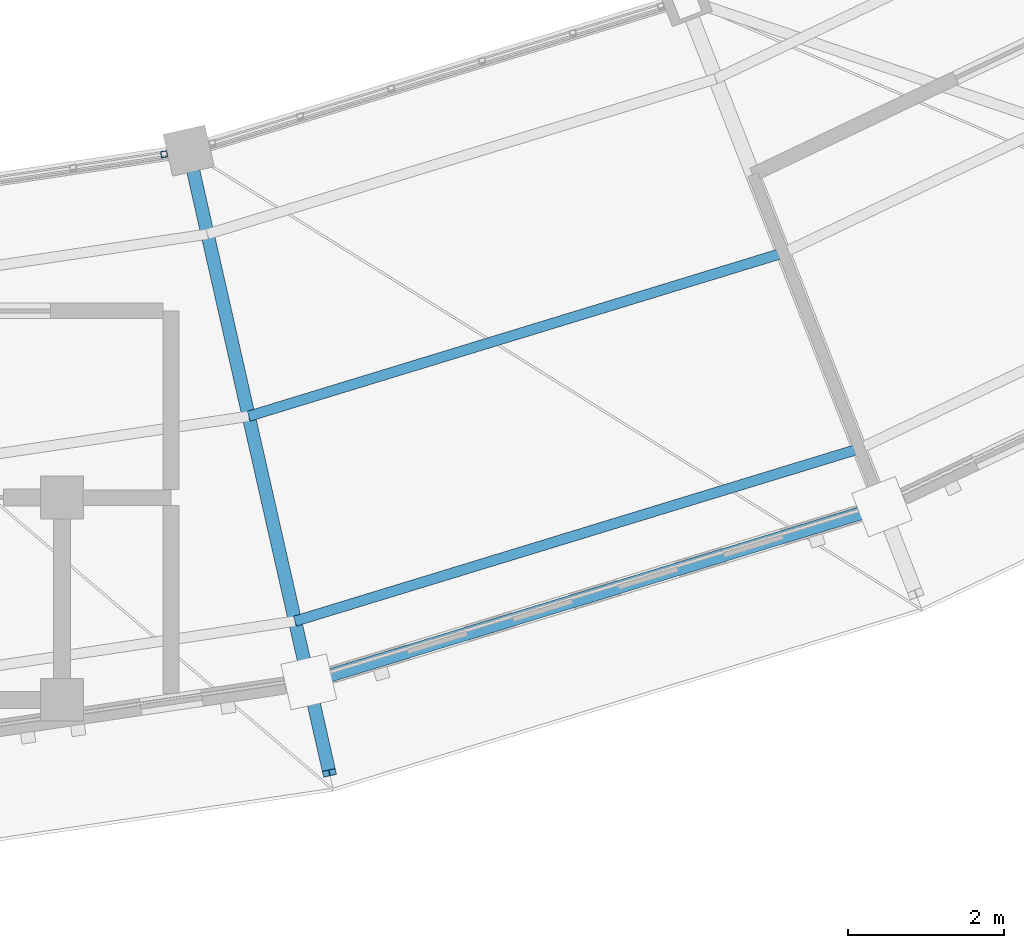
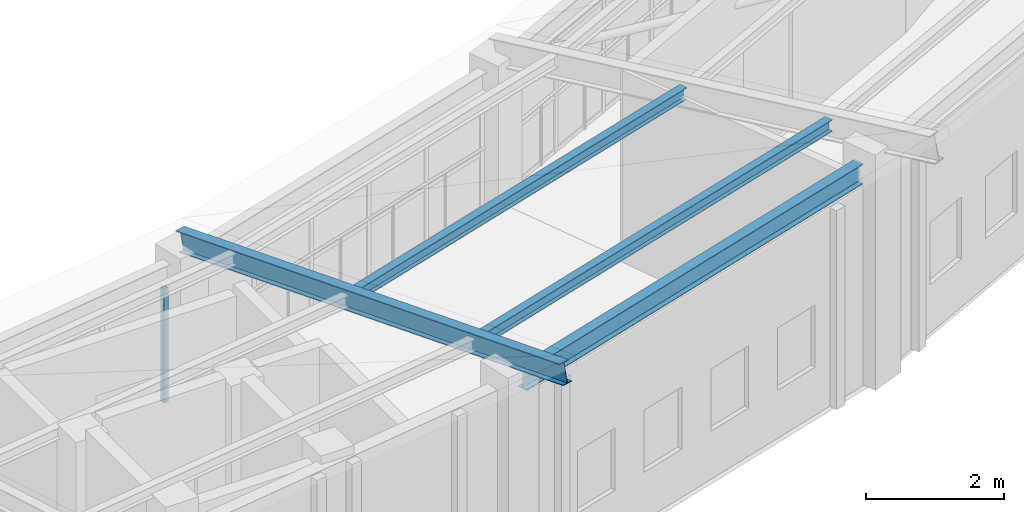
# One storey, part 41 of 149: 4 members, 1 beam, 1 element without a shape of its own.
"""IFC4 building model written with IfcOpenShell, lengths in metres."""

from ifc_helpers import new_model, si_unit, direction, frame, origin, origin_2d, place, context, subcontext, project, spatial, hollow_rectangle, i_section, extrude, material, material_profile, profile_set, type_object, element, aggregate, save


model = new_model("IFC4")

# Units and contexts
model_context = context("Model", 3, precision=1e-05, world=origin(), true_north=direction((0.0, 1.0)))
body_context = subcontext(model_context, "Body", "Model", "MODEL_VIEW")
ifc_project = project(units=[si_unit("LENGTHUNIT", "METRE"), si_unit("AREAUNIT", "SQUARE_METRE"), si_unit("VOLUMEUNIT", "CUBIC_METRE"), si_unit("PLANEANGLEUNIT", "RADIAN"), si_unit("MASSUNIT", "GRAM", prefix="KILO")], contexts=[model_context])

# Site, building, storey
site_placement = place(None, origin())
site = spatial("IfcSite", under=ifc_project, at=site_placement, CompositionType="ELEMENT")
building_placement = place(site_placement, origin())
building = spatial("IfcBuilding", under=site, at=building_placement, Name="Celadon Cloister-Ring School", CompositionType="ELEMENT")
storey_placement = place(building_placement, frame((0.0, 0.0, 12.5)))
storey = spatial("IfcBuildingStorey", under=building, at=storey_placement, Name="L03", CompositionType="ELEMENT", Elevation=12.5)

# Curtain wall, member
ifc_material_1 = material(Name="Aluminium EN AW-6063 T6", Category="aluminium")
curtain_wall_type = type_object("IfcCurtainWallType", Name="CW-02", PredefinedType="USERDEFINED", material=ifc_material_1)
curtain_wall_placement = place(storey_placement, origin())
curtain_wall = element("IfcCurtainWall", 1, at=curtain_wall_placement, inside=storey, type_object=curtain_wall_type, Name="Curtain Wall 0062", ObjectType="CURTAIN WALL", PredefinedType="USERDEFINED")
ifc_material_2 = material(Name="Aluminium EN AW-6063 T6", Category="aluminium")
ifc_material_profile_1 = material_profile(ifc_material_2, hollow_rectangle(XDim=0.080078125, YDim=0.080078125, WallThickness=0.00390625, at=origin_2d()), Name="RHS80X80X4")
ifc_profile_set_1 = profile_set([ifc_material_profile_1], Name="Aluminium EN AW-6063 T6")
member_type_1 = type_object("IfcMemberType", Name="CM-03", PredefinedType="MULLION", material=ifc_profile_set_1)
member_1_placement = place(storey_placement, frame((96.611328125, 15.06201171875, 0.0), z_axis=(0.0, 0.0, 1.0), x_axis=(-0.147812141048, 0.989015455369, 0.0)))
member_1 = element("IfcMember", 2, at=member_1_placement, type_object=member_type_1, Name="CW-02 mullion 6", PredefinedType="MULLION", context=body_context, shape_type="SweptSolid", body=[
    extrude(hollow_rectangle(XDim=0.080078125, YDim=0.080078125, WallThickness=0.00390625, at=origin_2d()), origin(), (0.0, 0.0, 1.0), 2.02001953125),
])
aggregate(curtain_wall, [member_1])

# Members
ifc_material_3 = material(Name="Structural steel S355JR", Category="steel")
ifc_material_profile_2 = material_profile(ifc_material_3, i_section(OverallWidth=0.133056640625, OverallDepth=0.20703125, WebThickness=0.005859375, FlangeThickness=0.00830078125, at=origin_2d()), Name="W200X27")
ifc_profile_set_2 = profile_set([ifc_material_profile_2], Name="Structural steel S355JR")
member_type_2 = type_object("IfcMemberType", Name="MP-04", PredefinedType="PURLIN", material=ifc_profile_set_2)
member_2_placement = place(storey_placement, frame((97.698974609375, 11.695068359375, 3.4599609375), z_axis=(0.956337853233, 0.292263426508, 0.0), x_axis=(-0.292263426508, 0.956337853233, 0.0)))
element("IfcMember", 3, at=member_2_placement, inside=storey, type_object=member_type_2, Name="Structural Member 0175", PredefinedType="PURLIN", context=body_context, shape_type="SweptSolid", body=[
    extrude(i_section(OverallWidth=0.133056640625, OverallDepth=0.20703125, WebThickness=0.005859375, FlangeThickness=0.00830078125, at=origin_2d()), origin(), (0.0, 0.0, 1.0), 7.184814453125),
])
member_3_placement = place(storey_placement, frame((98.2939453125, 9.06103515625, 4.073974609375), z_axis=(0.956333329875, 0.292278227328, 0.0), x_axis=(-0.292278227328, 0.956333329875, 0.0)))
element("IfcMember", 4, at=member_3_placement, inside=storey, type_object=member_type_2, Name="Structural Member 0176", PredefinedType="PURLIN", context=body_context, shape_type="SweptSolid", body=[
    extrude(i_section(OverallWidth=0.133056640625, OverallDepth=0.20703125, WebThickness=0.005859375, FlangeThickness=0.00830078125, at=origin_2d()), origin(), (0.0, 0.0, 1.0), 7.58544921875),
])
ifc_material_4 = material(Name="Structural steel S355JR", Category="steel")
ifc_material_profile_3 = material_profile(ifc_material_4, i_section(OverallWidth=0.1708984375, OverallDepth=0.35498046875, WebThickness=0.007080078125, FlangeThickness=0.01171875, at=origin_2d()), Name="W360X51")
ifc_profile_set_3 = profile_set([ifc_material_profile_3], Name="Structural steel S355JR")
member_type_3 = type_object("IfcMemberType", Name="MR-05", PredefinedType="RAFTER", material=ifc_profile_set_3)
member_4_placement = place(storey_placement, frame((96.927001953125, 15.10888671875, 2.72607421875), z_axis=(0.215186169885, -0.951320342682, 0.220645684047), x_axis=(0.975359012507, 0.220623654039, 0.0)))
element("IfcMember", 5, at=member_4_placement, inside=storey, type_object=member_type_3, Name="Structural Member 0040", PredefinedType="RAFTER", context=body_context, shape_type="SweptSolid", body=[
    extrude(i_section(OverallWidth=0.1708984375, OverallDepth=0.35498046875, WebThickness=0.007080078125, FlangeThickness=0.01171875, at=origin_2d()), origin(), (0.0, 0.0, 1.0), 8.406982421875),
])

# Beam
ifc_material_5 = material(Name="Structural steel S355JR", Category="steel")
ifc_material_profile_4 = material_profile(ifc_material_5, i_section(OverallWidth=0.1708984375, OverallDepth=0.35498046875, WebThickness=0.007080078125, FlangeThickness=0.01171875, at=origin_2d()), Name="W360X51")
ifc_profile_set_4 = profile_set([ifc_material_profile_4], Name="Structural steel S355JR")
beam_type = type_object("IfcBeamType", Name="SP-04", PredefinedType="SPANDREL", material=ifc_profile_set_4)
beam_placement = place(storey_placement, frame((98.73388671875, 8.361083984375, 3.722900390625), z_axis=(0.956332228316, 0.292281831601, 0.0), x_axis=(-0.292281831601, 0.956332228316, 0.0)))
element("IfcBeam", 6, at=beam_placement, inside=storey, type_object=beam_type, Name="Beam 0559", PredefinedType="SPANDREL", context=body_context, shape_type="SweptSolid", body=[
    extrude(i_section(OverallWidth=0.1708984375, OverallDepth=0.35498046875, WebThickness=0.007080078125, FlangeThickness=0.01171875, at=origin_2d()), origin(), (0.0, 0.0, 1.0), 7.1533203125),
])

save(model, "model.ifc")
